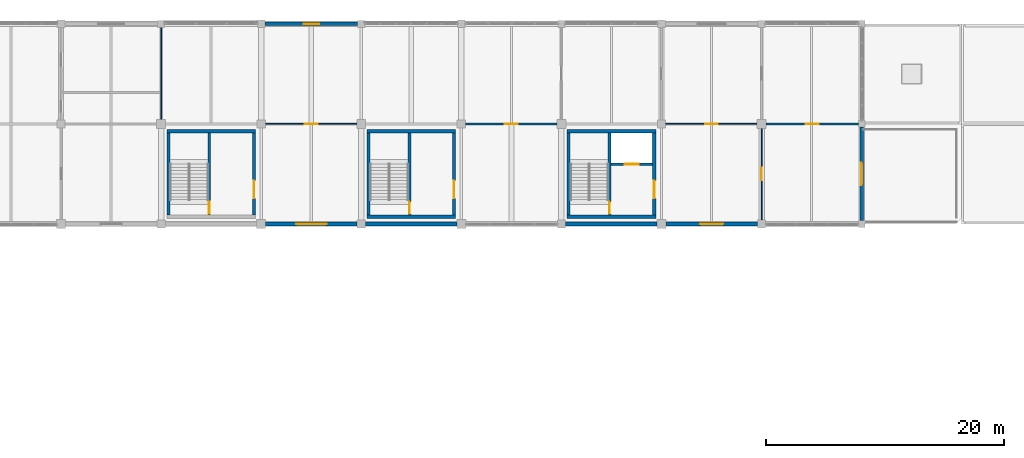
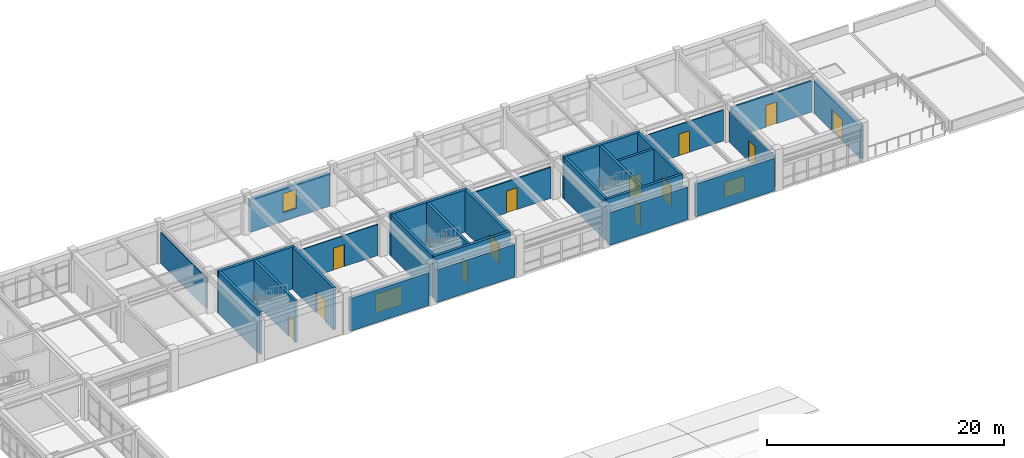
# One storey, part 35 of 40: 27 walls, 13 doors, 3 windows, 16 openings.
"""IFC4 building model written with IfcOpenShell, lengths in metres."""

from ifc_helpers import new_model, si_unit, direction, frame, frame_2d, origin, place, context, subcontext, project, spatial, rectangle, extrude, material, layer, layer_set, type_object, element, fill, save


model = new_model("IFC4")

# Units and contexts
model_context = context("Model", 3, precision=1e-05, world=origin(), true_north=direction((0.0, 1.0)))
body_context = subcontext(model_context, "Body", "Model", "MODEL_VIEW")
ifc_project = project(units=[si_unit("LENGTHUNIT", "METRE"), si_unit("AREAUNIT", "SQUARE_METRE"), si_unit("VOLUMEUNIT", "CUBIC_METRE"), si_unit("PLANEANGLEUNIT", "RADIAN"), si_unit("MASSUNIT", "GRAM", prefix="KILO")], contexts=[model_context])

# Site, building, storey
site_placement = place(None, origin())
site = spatial("IfcSite", under=ifc_project, at=site_placement, CompositionType="ELEMENT")
building_placement = place(site_placement, origin())
building = spatial("IfcBuilding", under=site, at=building_placement, Name="Porcellanite Civic Hall", CompositionType="ELEMENT")
storey_placement = place(building_placement, frame((0.0, 0.0, 19.080078125)))
storey = spatial("IfcBuildingStorey", under=building, at=storey_placement, Name="L04", CompositionType="ELEMENT", Elevation=19.080078125)

# Wall, opening, door
ifc_material_1 = material(Name="Concrete N40 (40 MPa)", Category="concrete")
ifc_layer_1 = layer(ifc_material_1, 0.239990234375)
ifc_layer_set_1 = layer_set([ifc_layer_1], Name="Concrete N40 (40 MPa)")
wall_type_1 = type_object("IfcWallType", Name="CW-SH240", PredefinedType="SHEAR", material=ifc_layer_set_1)
wall_1_placement = place(storey_placement, frame((113.239990234375, 101.5400390625, 0.0), z_axis=(0.0, 0.0, 1.0), x_axis=(0.0, 1.0, 0.0)))
wall_1 = element("IfcWall", 1, at=wall_1_placement, inside=storey, type_object=wall_type_1, Name="Core divider C4 L04", PredefinedType="SHEAR", context=body_context, shape_type="SweptSolid", body=[
    extrude(rectangle(XDim=6.919921875, YDim=0.239990234375, at=frame_2d((3.4599609375, 0.0))), origin(), (0.0, 0.0, 1.0), 4.31982421875),
])
opening_1_placement = place(wall_1_placement, frame((0.1201171875, 0.0, 0.0)))
opening_1 = element("IfcOpeningElement", 2, at=opening_1_placement, cuts=wall_1, Name="Opening FD-C4-L04-ST", PredefinedType="OPENING", context=body_context, shape_type="SweptSolid", body=[
    extrude(rectangle(XDim=1.0, YDim=2.14990234375, at=frame_2d((0.5, 1.074951171875))), frame((0.0, 0.1201171875, 0.0), z_axis=(0.0, -1.0, 0.0), x_axis=(1.0, 0.0, 0.0)), (0.0, 0.0, 1.0), 0.239990234375),
])
ifc_material_2 = material(Name="Fire-rated solid-core hardwood timber", Category="wood")
door_type_1 = type_object("IfcDoorType", Name="DR-FD100", OperationType="NOTDEFINED", PredefinedType="DOOR", material=ifc_material_2)
door_1_placement = place(opening_1_placement, origin())
door_1 = element("IfcDoor", 3, at=door_1_placement, inside=storey, type_object=door_type_1, Name="Fire stair door FD-C4-L04-ST", OperationType="SINGLE_SWING_LEFT", OverallHeight=2.14990234375, OverallWidth=1.0, PredefinedType="DOOR", context=body_context, shape_type="SweptSolid", body=[
    extrude(rectangle(XDim=1.0, YDim=2.14990234375, at=frame_2d((0.5, 1.074951171875))), frame((0.0, 0.02490234375, 0.0), z_axis=(0.0, -1.0, 0.0), x_axis=(1.0, 0.0, 0.0)), (0.0, 0.0, 1.0), 0.050048828125),
])
fill(opening_1, door_1)

wall_2_placement = place(storey_placement, frame((113.360107421875, 105.820068359375, 0.0), z_axis=(0.0, 0.0, 1.0), x_axis=(1.0, 0.0, 0.0)))
wall_2 = element("IfcWall", 4, at=wall_2_placement, inside=storey, type_object=wall_type_1, Name="Lift shaft wall C4 L04", PredefinedType="SHEAR", context=body_context, shape_type="SweptSolid", body=[
    extrude(rectangle(XDim=3.5, YDim=0.239990234375, at=frame_2d((1.75, 0.0))), origin(), (0.0, 0.0, 1.0), 4.31982421875),
])
opening_2_placement = place(wall_2_placement, frame((1.14990234375, 0.0, 0.0)))
opening_2 = element("IfcOpeningElement", 5, at=opening_2_placement, cuts=wall_2, Name="Opening LD-02", PredefinedType="OPENING", context=body_context, shape_type="SweptSolid", body=[
    extrude(rectangle(XDim=1.199951171875, YDim=2.199951171875, at=frame_2d((0.60009765625, 1.10009765625))), frame((0.0, 0.1201171875, 0.0), z_axis=(0.0, -1.0, 0.0), x_axis=(1.0, 0.0, 0.0)), (0.0, 0.0, 1.0), 0.239990234375),
])
ifc_material_3 = material(Name="Brushed stainless steel 316", Category="steel")
door_type_2 = type_object("IfcDoorType", Name="DR-LD120", OperationType="DOUBLE_DOOR_SLIDING", PredefinedType="DOOR", material=ifc_material_3)
door_2_placement = place(opening_2_placement, origin())
door_2 = element("IfcDoor", 6, at=door_2_placement, inside=storey, type_object=door_type_2, Name="Lift landing sliding door LD-02 L04", OperationType="DOUBLE_DOOR_SLIDING", OverallHeight=2.199951171875, OverallWidth=1.199951171875, PredefinedType="DOOR", context=body_context, shape_type="SweptSolid", body=[
    extrude(rectangle(XDim=1.199951171875, YDim=2.199951171875, at=frame_2d((0.60009765625, 1.10009765625))), frame((0.0, 0.02490234375, 0.0), z_axis=(0.0, -1.0, 0.0), x_axis=(1.0, 0.0, 0.0)), (0.0, 0.0, 1.0), 0.050048828125),
])
fill(opening_2, door_2)

wall_3_placement = place(storey_placement, frame((79.639892578125, 101.5400390625, 0.0), z_axis=(0.0, 0.0, 1.0), x_axis=(0.0, 1.0, 0.0)))
wall_3 = element("IfcWall", 7, at=wall_3_placement, inside=storey, type_object=wall_type_1, Name="Core divider S9 L04", PredefinedType="SHEAR", context=body_context, shape_type="SweptSolid", body=[
    extrude(rectangle(XDim=6.919921875, YDim=0.239990234375, at=frame_2d((3.4599609375, 0.0))), origin(), (0.0, 0.0, 1.0), 4.31982421875),
])
opening_3_placement = place(wall_3_placement, frame((0.1201171875, 0.0, 0.0)))
opening_3 = element("IfcOpeningElement", 8, at=opening_3_placement, cuts=wall_3, Name="Opening FD-S9-L04-ST", PredefinedType="OPENING", context=body_context, shape_type="SweptSolid", body=[
    extrude(rectangle(XDim=1.0, YDim=2.14990234375, at=frame_2d((0.5, 1.074951171875))), frame((0.0, 0.1201171875, 0.0), z_axis=(0.0, -1.0, 0.0), x_axis=(1.0, 0.0, 0.0)), (0.0, 0.0, 1.0), 0.239990234375),
])
door_3_placement = place(opening_3_placement, origin())
door_3 = element("IfcDoor", 9, at=door_3_placement, inside=storey, type_object=door_type_1, Name="Fire stair door FD-S9-L04-ST", OperationType="SINGLE_SWING_RIGHT", OverallHeight=2.14990234375, OverallWidth=1.0, PredefinedType="DOOR", context=body_context, shape_type="SweptSolid", body=[
    extrude(rectangle(XDim=1.0, YDim=2.14990234375, at=frame_2d((0.5, 1.074951171875))), frame((0.0, 0.02490234375, 0.0), z_axis=(0.0, -1.0, 0.0), x_axis=(1.0, 0.0, 0.0)), (0.0, 0.0, 1.0), 0.050048828125),
])
fill(opening_3, door_3)

wall_4_placement = place(storey_placement, frame((96.43994140625, 101.5400390625, 0.0), z_axis=(0.0, 0.0, 1.0), x_axis=(0.0, 1.0, 0.0)))
wall_4 = element("IfcWall", 10, at=wall_4_placement, inside=storey, type_object=wall_type_1, Name="Core divider S10 L04", PredefinedType="SHEAR", context=body_context, shape_type="SweptSolid", body=[
    extrude(rectangle(XDim=6.919921875, YDim=0.239990234375, at=frame_2d((3.4599609375, 0.0))), origin(), (0.0, 0.0, 1.0), 4.31982421875),
])
opening_4_placement = place(wall_4_placement, frame((0.1201171875, 0.0, 0.0)))
opening_4 = element("IfcOpeningElement", 11, at=opening_4_placement, cuts=wall_4, Name="Opening FD-S10-L04-ST", PredefinedType="OPENING", context=body_context, shape_type="SweptSolid", body=[
    extrude(rectangle(XDim=1.0, YDim=2.14990234375, at=frame_2d((0.5, 1.074951171875))), frame((0.0, 0.1201171875, 0.0), z_axis=(0.0, -1.0, 0.0), x_axis=(1.0, 0.0, 0.0)), (0.0, 0.0, 1.0), 0.239990234375),
])
door_4_placement = place(opening_4_placement, origin())
door_4 = element("IfcDoor", 12, at=door_4_placement, inside=storey, type_object=door_type_1, Name="Fire stair door FD-S10-L04-ST", OperationType="SINGLE_SWING_LEFT", OverallHeight=2.14990234375, OverallWidth=1.0, PredefinedType="DOOR", context=body_context, shape_type="SweptSolid", body=[
    extrude(rectangle(XDim=1.0, YDim=2.14990234375, at=frame_2d((0.5, 1.074951171875))), frame((0.0, 0.02490234375, 0.0), z_axis=(0.0, -1.0, 0.0), x_axis=(1.0, 0.0, 0.0)), (0.0, 0.0, 1.0), 0.050048828125),
])
fill(opening_4, door_4)

# Walls
ifc_material_4 = material(Name="Concrete N40 (40 MPa)", Category="concrete")
ifc_layer_2 = layer(ifc_material_4, 0.260009765625)
ifc_layer_set_2 = layer_set([ifc_layer_2], Name="Concrete N40 (40 MPa)")
wall_type_2 = type_object("IfcWallType", Name="CW-SH260", PredefinedType="SHEAR", material=ifc_layer_set_2)
wall_5_placement = place(storey_placement, frame((117.1201171875, 101.409912109375, 0.0), z_axis=(0.0, 0.0, 1.0), x_axis=(-1.0, 0.0, 0.0)))
element("IfcWall", 13, at=wall_5_placement, inside=storey, type_object=wall_type_2, Name="Core wall C4 L04 S", PredefinedType="SHEAR", context=body_context, shape_type="SweptSolid", body=[
    extrude(rectangle(XDim=7.440185546875, YDim=0.260009765625, at=frame_2d((3.72021484375, 0.0))), origin(), (0.0, 0.0, 1.0), 4.31982421875),
])
wall_6_placement = place(storey_placement, frame((109.81005859375, 101.5400390625, 0.0), z_axis=(0.0, 0.0, 1.0), x_axis=(0.0, 1.0, 0.0)))
element("IfcWall", 14, at=wall_6_placement, inside=storey, type_object=wall_type_2, Name="Core wall C4 L04 W", PredefinedType="SHEAR", context=body_context, shape_type="SweptSolid", body=[
    extrude(rectangle(XDim=6.919921875, YDim=0.260009765625, at=frame_2d((3.4599609375, 0.0))), origin(), (0.0, 0.0, 1.0), 4.31982421875),
])
wall_7_placement = place(storey_placement, frame((109.679931640625, 108.590087890625, 0.0), z_axis=(0.0, 0.0, 1.0), x_axis=(1.0, 0.0, 0.0)))
element("IfcWall", 15, at=wall_7_placement, inside=storey, type_object=wall_type_2, Name="Core wall C4 L04 N", PredefinedType="SHEAR", context=body_context, shape_type="SweptSolid", body=[
    extrude(rectangle(XDim=7.440185546875, YDim=0.260009765625, at=frame_2d((3.72021484375, 0.0))), origin(), (0.0, 0.0, 1.0), 4.31982421875),
])

# Wall, opening, door
wall_8_placement = place(storey_placement, frame((116.989990234375, 108.4599609375, 0.0), z_axis=(0.0, 0.0, 1.0), x_axis=(0.0, -1.0, 0.0)))
wall_8 = element("IfcWall", 16, at=wall_8_placement, inside=storey, type_object=wall_type_2, Name="Core wall C4 L04 E", PredefinedType="SHEAR", context=body_context, shape_type="SweptSolid", body=[
    extrude(rectangle(XDim=6.919921875, YDim=0.260009765625, at=frame_2d((3.4599609375, 0.0))), origin(), (0.0, 0.0, 1.0), 4.31982421875),
])
opening_5_placement = place(wall_8_placement, frame((4.010009765625, 0.0, 0.0)))
opening_5 = element("IfcOpeningElement", 17, at=opening_5_placement, cuts=wall_8, Name="Opening FD-C4-L04-LB", PredefinedType="OPENING", context=body_context, shape_type="SweptSolid", body=[
    extrude(rectangle(XDim=1.5, YDim=2.14990234375, at=frame_2d((0.75, 1.074951171875))), frame((0.0, 0.1298828125, 0.0), z_axis=(0.0, -1.0, 0.0), x_axis=(1.0, 0.0, 0.0)), (0.0, 0.0, 1.0), 0.260009765625),
])
ifc_material_5 = material(Name="Fire-rated steel and Georgian wired glass", Category="steel")
door_type_3 = type_object("IfcDoorType", Name="DR-FD150", OperationType="DOUBLE_DOOR_SINGLE_SWING", PredefinedType="DOOR", material=ifc_material_5)
door_5_placement = place(opening_5_placement, origin())
door_5 = element("IfcDoor", 18, at=door_5_placement, inside=storey, type_object=door_type_3, Name="Fire lobby double door FD-C4-L04-LB", OperationType="DOUBLE_DOOR_SINGLE_SWING", OverallHeight=2.14990234375, OverallWidth=1.5, PredefinedType="DOOR", context=body_context, shape_type="SweptSolid", body=[
    extrude(rectangle(XDim=1.5, YDim=2.14990234375, at=frame_2d((0.75, 1.074951171875))), frame((0.0, 0.02490234375, 0.0), z_axis=(0.0, -1.0, 0.0), x_axis=(1.0, 0.0, 0.0)), (0.0, 0.0, 1.0), 0.050048828125),
])
fill(opening_5, door_5)

# Walls
wall_9_placement = place(storey_placement, frame((76.2099609375, 101.5400390625, 0.0), z_axis=(0.0, 0.0, 1.0), x_axis=(0.0, 1.0, 0.0)))
element("IfcWall", 19, at=wall_9_placement, inside=storey, type_object=wall_type_2, Name="Core wall S9 L04 W", PredefinedType="SHEAR", context=body_context, shape_type="SweptSolid", body=[
    extrude(rectangle(XDim=6.919921875, YDim=0.260009765625, at=frame_2d((3.4599609375, 0.0))), origin(), (0.0, 0.0, 1.0), 4.31982421875),
])
wall_10_placement = place(storey_placement, frame((76.080078125, 108.590087890625, 0.0), z_axis=(0.0, 0.0, 1.0), x_axis=(1.0, 0.0, 0.0)))
element("IfcWall", 20, at=wall_10_placement, inside=storey, type_object=wall_type_2, Name="Core wall S9 L04 N", PredefinedType="SHEAR", context=body_context, shape_type="SweptSolid", body=[
    extrude(rectangle(XDim=7.43994140625, YDim=0.260009765625, at=frame_2d((3.719970703125, 0.0))), origin(), (0.0, 0.0, 1.0), 4.31982421875),
])

# Wall, opening, door
wall_11_placement = place(storey_placement, frame((83.389892578125, 108.4599609375, 0.0), z_axis=(0.0, 0.0, 1.0), x_axis=(0.0, -1.0, 0.0)))
wall_11 = element("IfcWall", 21, at=wall_11_placement, inside=storey, type_object=wall_type_2, Name="Core wall S9 L04 E", PredefinedType="SHEAR", context=body_context, shape_type="SweptSolid", body=[
    extrude(rectangle(XDim=6.919921875, YDim=0.260009765625, at=frame_2d((3.4599609375, 0.0))), origin(), (0.0, 0.0, 1.0), 4.31982421875),
])
opening_6_placement = place(wall_11_placement, frame((4.010009765625, 0.0, 0.0)))
opening_6 = element("IfcOpeningElement", 22, at=opening_6_placement, cuts=wall_11, Name="Opening FD-S9-L04-LB", PredefinedType="OPENING", context=body_context, shape_type="SweptSolid", body=[
    extrude(rectangle(XDim=1.5, YDim=2.14990234375, at=frame_2d((0.75, 1.074951171875))), frame((0.0, 0.1298828125, 0.0), z_axis=(0.0, -1.0, 0.0), x_axis=(1.0, 0.0, 0.0)), (0.0, 0.0, 1.0), 0.260009765625),
])
door_6_placement = place(opening_6_placement, origin())
door_6 = element("IfcDoor", 23, at=door_6_placement, inside=storey, type_object=door_type_3, Name="Fire lobby double door FD-S9-L04-LB", OperationType="DOUBLE_DOOR_SINGLE_SWING", OverallHeight=2.14990234375, OverallWidth=1.5, PredefinedType="DOOR", context=body_context, shape_type="SweptSolid", body=[
    extrude(rectangle(XDim=1.5, YDim=2.14990234375, at=frame_2d((0.75, 1.074951171875))), frame((0.0, 0.02490234375, 0.0), z_axis=(0.0, -1.0, 0.0), x_axis=(1.0, 0.0, 0.0)), (0.0, 0.0, 1.0), 0.050048828125),
])
fill(opening_6, door_6)

# Walls
wall_12_placement = place(storey_placement, frame((100.320068359375, 101.409912109375, 0.0), z_axis=(0.0, 0.0, 1.0), x_axis=(-1.0, 0.0, 0.0)))
element("IfcWall", 24, at=wall_12_placement, inside=storey, type_object=wall_type_2, Name="Core wall S10 L04 S", PredefinedType="SHEAR", context=body_context, shape_type="SweptSolid", body=[
    extrude(rectangle(XDim=7.440185546875, YDim=0.260009765625, at=frame_2d((3.72021484375, 0.0))), origin(), (0.0, 0.0, 1.0), 4.31982421875),
])
wall_13_placement = place(storey_placement, frame((93.010009765625, 101.5400390625, 0.0), z_axis=(0.0, 0.0, 1.0), x_axis=(0.0, 1.0, 0.0)))
element("IfcWall", 25, at=wall_13_placement, inside=storey, type_object=wall_type_2, Name="Core wall S10 L04 W", PredefinedType="SHEAR", context=body_context, shape_type="SweptSolid", body=[
    extrude(rectangle(XDim=6.919921875, YDim=0.260009765625, at=frame_2d((3.4599609375, 0.0))), origin(), (0.0, 0.0, 1.0), 4.31982421875),
])
wall_14_placement = place(storey_placement, frame((92.8798828125, 108.590087890625, 0.0), z_axis=(0.0, 0.0, 1.0), x_axis=(1.0, 0.0, 0.0)))
element("IfcWall", 26, at=wall_14_placement, inside=storey, type_object=wall_type_2, Name="Core wall S10 L04 N", PredefinedType="SHEAR", context=body_context, shape_type="SweptSolid", body=[
    extrude(rectangle(XDim=7.440185546875, YDim=0.260009765625, at=frame_2d((3.72021484375, 0.0))), origin(), (0.0, 0.0, 1.0), 4.31982421875),
])

# Wall, opening, door
wall_15_placement = place(storey_placement, frame((100.18994140625, 108.4599609375, 0.0), z_axis=(0.0, 0.0, 1.0), x_axis=(0.0, -1.0, 0.0)))
wall_15 = element("IfcWall", 27, at=wall_15_placement, inside=storey, type_object=wall_type_2, Name="Core wall S10 L04 E", PredefinedType="SHEAR", context=body_context, shape_type="SweptSolid", body=[
    extrude(rectangle(XDim=6.919921875, YDim=0.260009765625, at=frame_2d((3.4599609375, 0.0))), origin(), (0.0, 0.0, 1.0), 4.31982421875),
])
opening_7_placement = place(wall_15_placement, frame((4.010009765625, 0.0, 0.0)))
opening_7 = element("IfcOpeningElement", 28, at=opening_7_placement, cuts=wall_15, Name="Opening FD-S10-L04-LB", PredefinedType="OPENING", context=body_context, shape_type="SweptSolid", body=[
    extrude(rectangle(XDim=1.5, YDim=2.14990234375, at=frame_2d((0.75, 1.074951171875))), frame((0.0, 0.1298828125, 0.0), z_axis=(0.0, -1.0, 0.0), x_axis=(1.0, 0.0, 0.0)), (0.0, 0.0, 1.0), 0.260009765625),
])
door_7_placement = place(opening_7_placement, origin())
door_7 = element("IfcDoor", 29, at=door_7_placement, inside=storey, type_object=door_type_3, Name="Fire lobby double door FD-S10-L04-LB", OperationType="DOUBLE_DOOR_SINGLE_SWING", OverallHeight=2.14990234375, OverallWidth=1.5, PredefinedType="DOOR", context=body_context, shape_type="SweptSolid", body=[
    extrude(rectangle(XDim=1.5, YDim=2.14990234375, at=frame_2d((0.75, 1.074951171875))), frame((0.0, 0.02490234375, 0.0), z_axis=(0.0, -1.0, 0.0), x_axis=(1.0, 0.0, 0.0)), (0.0, 0.0, 1.0), 0.050048828125),
])
fill(opening_7, door_7)

# Wall, opening, window
ifc_material_6 = material(Name="Precast concrete N40 (40 MPa)", Category="concrete")
ifc_layer_3 = layer(ifc_material_6, 0.300048828125)
ifc_layer_set_3 = layer_set([ifc_layer_3], Name="Precast concrete N40 (40 MPa)")
wall_type_3 = type_object("IfcWallType", Name="EW-ADM300", PredefinedType="SOLIDWALL", material=ifc_layer_set_3)
wall_16_placement = place(storey_placement, frame((92.049072265625, 100.800048828125, 0.0), z_axis=(0.0, 0.0, 1.0), x_axis=(-1.0, 0.0, 0.0)))
wall_16 = element("IfcWall", 30, at=wall_16_placement, inside=storey, type_object=wall_type_3, Name="Exterior wall L04 S 11-13", PredefinedType="SOLIDWALL", context=body_context, shape_type="SweptSolid", body=[
    extrude(rectangle(XDim=7.673095703125, YDim=0.300048828125, at=frame_2d((3.83642578125, 0.0))), origin(), (0.0, 0.0, 1.0), 3.369873046875),
])
opening_8_placement = place(wall_16_placement, frame((2.56201171875, 0.0, 0.89990234375)))
opening_8 = element("IfcOpeningElement", 31, at=opening_8_placement, cuts=wall_16, Name="Opening W33", PredefinedType="OPENING", context=body_context, shape_type="SweptSolid", body=[
    extrude(rectangle(XDim=2.550048828125, YDim=1.949951171875, at=frame_2d((1.27490234375, 0.97509765625))), frame((0.0, 0.14990234375, 0.0), z_axis=(0.0, -1.0, 0.0), x_axis=(1.0, 0.0, 0.0)), (0.0, 0.0, 1.0), 0.300048828125),
])
ifc_material_7 = material(Name="Cyclone laminated low-E glazing in anodised aluminium frame", Category="aluminium")
window_type_1 = type_object("IfcWindowType", Name="WN-33", PartitioningType="TRIPLE_PANEL_VERTICAL", PredefinedType="WINDOW", material=ifc_material_7)
window_1_placement = place(opening_8_placement, origin())
window_1 = element("IfcWindow", 32, at=window_1_placement, inside=storey, type_object=window_type_1, Name="Window W33 L04 S 11-13", OverallHeight=1.949951171875, OverallWidth=2.550048828125, PartitioningType="SINGLE_PANEL", PredefinedType="WINDOW", context=body_context, shape_type="SweptSolid", body=[
    extrude(rectangle(XDim=2.550048828125, YDim=1.949951171875, at=frame_2d((1.27490234375, 0.97509765625))), frame((0.0, 0.030029296875, 0.0), z_axis=(0.0, -1.0, 0.0), x_axis=(1.0, 0.0, 0.0)), (0.0, 0.0, 1.0), 0.06005859375),
])
fill(opening_8, window_1)

wall_17_placement = place(storey_placement, frame((84.325927734375, 117.60009765625, 0.0), z_axis=(0.0, 0.0, 1.0), x_axis=(1.0, 0.0, 0.0)))
wall_17 = element("IfcWall", 33, at=wall_17_placement, inside=storey, type_object=wall_type_3, Name="Exterior wall L04 N 11-14", PredefinedType="SOLIDWALL", context=body_context, shape_type="SweptSolid", body=[
    extrude(rectangle(XDim=7.773193359375, YDim=0.300048828125, at=frame_2d((3.88671875, 0.0))), origin(), (0.0, 0.0, 1.0), 3.369873046875),
])
opening_9_placement = place(wall_17_placement, frame((3.236083984375, 0.0, 0.89990234375)))
opening_9 = element("IfcOpeningElement", 34, at=opening_9_placement, cuts=wall_17, Name="Opening W34", PredefinedType="OPENING", context=body_context, shape_type="SweptSolid", body=[
    extrude(rectangle(XDim=1.300048828125, YDim=1.949951171875, at=frame_2d((0.64990234375, 0.97509765625))), frame((0.0, 0.14990234375, 0.0), z_axis=(0.0, -1.0, 0.0), x_axis=(1.0, 0.0, 0.0)), (0.0, 0.0, 1.0), 0.300048828125),
])
ifc_material_8 = material(Name="Cyclone laminated low-E glazing in anodised aluminium frame", Category="aluminium")
window_type_2 = type_object("IfcWindowType", Name="WN-34", PartitioningType="SINGLE_PANEL", PredefinedType="WINDOW", material=ifc_material_8)
window_2_placement = place(opening_9_placement, origin())
window_2 = element("IfcWindow", 35, at=window_2_placement, inside=storey, type_object=window_type_2, Name="Window W34 L04 N 11-14", OverallHeight=1.949951171875, OverallWidth=1.300048828125, PartitioningType="SINGLE_PANEL", PredefinedType="WINDOW", context=body_context, shape_type="SweptSolid", body=[
    extrude(rectangle(XDim=1.300048828125, YDim=1.949951171875, at=frame_2d((0.64990234375, 0.97509765625))), frame((0.0, 0.030029296875, 0.0), z_axis=(0.0, -1.0, 0.0), x_axis=(1.0, 0.0, 0.0)), (0.0, 0.0, 1.0), 0.06005859375),
])
fill(opening_9, window_2)

# Walls
for number, where, z_axis, x_axis, name in (
    (36, (100.424072265625, 100.800048828125, 0.0), (0.0, 0.0, 1.0), (-1.0, 0.0, 0.0), "Exterior wall L04 S 12-13"),
    (37, (117.22412109375, 100.800048828125, 0.0), (0.0, 0.0, 1.0), (-1.0, 0.0, 0.0), "Exterior wall L04 S 14-13"),
):
    element("IfcWall", number, at=place(storey_placement, frame(where, z_axis=z_axis, x_axis=x_axis)), inside=storey, type_object=wall_type_3, Name=name, PredefinedType="SOLIDWALL", context=body_context, shape_type="SweptSolid", body=[
        extrude(rectangle(XDim=7.673095703125, YDim=0.300048828125, at=frame_2d((3.83642578125, 0.0))), origin(), (0.0, 0.0, 1.0), 3.369873046875),
    ])

# Wall, opening, window
wall_18_placement = place(storey_placement, frame((125.64892578125, 100.800048828125, 0.0), z_axis=(0.0, 0.0, 1.0), x_axis=(-1.0, 0.0, 0.0)))
wall_18 = element("IfcWall", 38, at=wall_18_placement, inside=storey, type_object=wall_type_3, Name="Exterior wall L04 S 15-13", PredefinedType="SOLIDWALL", context=body_context, shape_type="SweptSolid", body=[
    extrude(rectangle(XDim=7.6728515625, YDim=0.300048828125, at=frame_2d((3.83642578125, 0.0))), origin(), (0.0, 0.0, 1.0), 3.369873046875),
])
opening_10_placement = place(wall_18_placement, frame((2.861083984375, 0.0, 0.89990234375)))
opening_10 = element("IfcOpeningElement", 39, at=opening_10_placement, cuts=wall_18, Name="Opening W35", PredefinedType="OPENING", context=body_context, shape_type="SweptSolid", body=[
    extrude(rectangle(XDim=1.949951171875, YDim=1.60009765625, at=frame_2d((0.97509765625, 0.800048828125))), frame((0.0, 0.14990234375, 0.0), z_axis=(0.0, -1.0, 0.0), x_axis=(1.0, 0.0, 0.0)), (0.0, 0.0, 1.0), 0.300048828125),
])
ifc_material_9 = material(Name="Cyclone laminated low-E glazing in anodised aluminium frame", Category="aluminium")
window_type_3 = type_object("IfcWindowType", Name="WN-35", PartitioningType="DOUBLE_PANEL_VERTICAL", PredefinedType="WINDOW", material=ifc_material_9)
window_3_placement = place(opening_10_placement, origin())
window_3 = element("IfcWindow", 40, at=window_3_placement, inside=storey, type_object=window_type_3, Name="Window W35 L04 S 15-13", OverallHeight=1.60009765625, OverallWidth=1.949951171875, PartitioningType="SINGLE_PANEL", PredefinedType="WINDOW", context=body_context, shape_type="SweptSolid", body=[
    extrude(rectangle(XDim=1.949951171875, YDim=1.60009765625, at=frame_2d((0.97509765625, 0.800048828125))), frame((0.0, 0.030029296875, 0.0), z_axis=(0.0, -1.0, 0.0), x_axis=(1.0, 0.0, 0.0)), (0.0, 0.0, 1.0), 0.06005859375),
])
fill(opening_10, window_3)

# Wall, opening, door
wall_19_placement = place(storey_placement, frame((134.39990234375, 108.924072265625, 0.0), z_axis=(0.0, 0.0, 1.0), x_axis=(0.0, -1.0, 0.0)))
wall_19 = element("IfcWall", 41, at=wall_19_placement, inside=storey, type_object=wall_type_3, Name="Exterior wall L04 E 16-13", PredefinedType="SOLIDWALL", context=body_context, shape_type="SweptSolid", body=[
    extrude(rectangle(XDim=7.84814453125, YDim=0.300048828125, at=frame_2d((3.924072265625, 0.0))), origin(), (0.0, 0.0, 1.0), 3.369873046875),
])
opening_11_placement = place(wall_19_placement, frame((2.9990234375, 0.0, 0.0)))
opening_11 = element("IfcOpeningElement", 42, at=opening_11_placement, cuts=wall_19, Name="Opening TD-15", PredefinedType="OPENING", context=body_context, shape_type="SweptSolid", body=[
    extrude(rectangle(XDim=1.85009765625, YDim=2.199951171875, at=frame_2d((0.925048828125, 1.10009765625))), frame((0.0, 0.14990234375, 0.0), z_axis=(0.0, -1.0, 0.0), x_axis=(1.0, 0.0, 0.0)), (0.0, 0.0, 1.0), 0.300048828125),
])
ifc_material_10 = material(Name="Anodised aluminium and laminated safety glass", Category="aluminium")
door_type_4 = type_object("IfcDoorType", Name="DR-TER185", OperationType="DOUBLE_DOOR_SINGLE_SWING", PredefinedType="DOOR", material=ifc_material_10)
door_8_placement = place(opening_11_placement, origin())
door_8 = element("IfcDoor", 43, at=door_8_placement, inside=storey, type_object=door_type_4, Name="Civic terrace door TD-15", OperationType="DOUBLE_DOOR_SINGLE_SWING", OverallHeight=2.199951171875, OverallWidth=1.85009765625, PredefinedType="DOOR", context=body_context, shape_type="SweptSolid", body=[
    extrude(rectangle(XDim=1.85009765625, YDim=2.199951171875, at=frame_2d((0.925048828125, 1.10009765625))), frame((0.0, 0.02490234375, 0.0), z_axis=(0.0, -1.0, 0.0), x_axis=(1.0, 0.0, 0.0)), (0.0, 0.0, 1.0), 0.050048828125),
])
fill(opening_11, door_8)

ifc_material_11 = material(Name="Insulated acoustic plasterboard on light-gauge steel studs", Category="steel")
ifc_layer_4 = layer(ifc_material_11, 0.087890625)
ifc_layer_set_4 = layer_set([ifc_layer_4], Name="Insulated acoustic plasterboard on light-gauge steel studs")
wall_type_4 = type_object("IfcWallType", Name="IW-PT088", PredefinedType="PARTITIONING", material=ifc_layer_set_4)
wall_20_placement = place(storey_placement, frame((84.35205078125, 109.199951171875, 0.0), z_axis=(0.0, 0.0, 1.0), x_axis=(1.0, 0.0, 0.0)))
wall_20 = element("IfcWall", 44, at=wall_20_placement, inside=storey, type_object=wall_type_4, Name="Partition L04 H 11-13", PredefinedType="PARTITIONING", context=body_context, shape_type="SweptSolid", body=[
    extrude(rectangle(XDim=7.6708984375, YDim=0.087890625, at=frame_2d((3.83544921875, 0.0))), origin(), (0.0, 0.0, 1.0), 3.18994140625),
])
opening_12_placement = place(wall_20_placement, frame((3.2958984375, 0.0, 0.0)))
opening_12 = element("IfcOpeningElement", 45, at=opening_12_placement, cuts=wall_20, Name="Opening D-L04-468", PredefinedType="OPENING", context=body_context, shape_type="SweptSolid", body=[
    extrude(rectangle(XDim=1.080078125, YDim=2.25, at=frame_2d((0.5400390625, 1.125))), frame((0.0, 0.0439453125, 0.0), z_axis=(0.0, -1.0, 0.0), x_axis=(1.0, 0.0, 0.0)), (0.0, 0.0, 1.0), 0.087890625),
])
ifc_material_12 = material(Name="Solid-core spotted-gum timber", Category="wood")
door_type_5 = type_object("IfcDoorType", Name="DR-RM108", OperationType="NOTDEFINED", PredefinedType="DOOR", material=ifc_material_12)
door_9_placement = place(opening_12_placement, origin())
door_9 = element("IfcDoor", 46, at=door_9_placement, inside=storey, type_object=door_type_5, Name="Interior door D-L04-468", OperationType="SINGLE_SWING_RIGHT", OverallHeight=2.25, OverallWidth=1.080078125, PredefinedType="DOOR", context=body_context, shape_type="SweptSolid", body=[
    extrude(rectangle(XDim=1.080078125, YDim=2.25, at=frame_2d((0.5400390625, 1.125))), frame((0.0, 0.02490234375, 0.0), z_axis=(0.0, -1.0, 0.0), x_axis=(1.0, 0.0, 0.0)), (0.0, 0.0, 1.0), 0.050048828125),
])
fill(opening_12, door_9)

wall_21_placement = place(storey_placement, frame((117.951904296875, 109.199951171875, 0.0), z_axis=(0.0, 0.0, 1.0), x_axis=(1.0, 0.0, 0.0)))
wall_21 = element("IfcWall", 47, at=wall_21_placement, inside=storey, type_object=wall_type_4, Name="Partition L04 H 15-13", PredefinedType="PARTITIONING", context=body_context, shape_type="SweptSolid", body=[
    extrude(rectangle(XDim=7.671142578125, YDim=0.087890625, at=frame_2d((3.83544921875, 0.0))), origin(), (0.0, 0.0, 1.0), 3.18994140625),
])
opening_13_placement = place(wall_21_placement, frame((3.31591796875, 0.0, 0.0)))
opening_13 = element("IfcOpeningElement", 48, at=opening_13_placement, cuts=wall_21, Name="Opening D-L04-470", PredefinedType="OPENING", context=body_context, shape_type="SweptSolid", body=[
    extrude(rectangle(XDim=1.0400390625, YDim=2.199951171875, at=frame_2d((0.52001953125, 1.10009765625))), frame((0.0, 0.0439453125, 0.0), z_axis=(0.0, -1.0, 0.0), x_axis=(1.0, 0.0, 0.0)), (0.0, 0.0, 1.0), 0.087890625),
])
ifc_material_13 = material(Name="Solid-core spotted-gum timber", Category="wood")
door_type_6 = type_object("IfcDoorType", Name="DR-RM104", OperationType="NOTDEFINED", PredefinedType="DOOR", material=ifc_material_13)
door_10_placement = place(opening_13_placement, origin())
door_10 = element("IfcDoor", 49, at=door_10_placement, inside=storey, type_object=door_type_6, Name="Interior door D-L04-470", OperationType="SINGLE_SWING_RIGHT", OverallHeight=2.199951171875, OverallWidth=1.0400390625, PredefinedType="DOOR", context=body_context, shape_type="SweptSolid", body=[
    extrude(rectangle(XDim=1.0400390625, YDim=2.199951171875, at=frame_2d((0.52001953125, 1.10009765625))), frame((0.0, 0.02490234375, 0.0), z_axis=(0.0, -1.0, 0.0), x_axis=(1.0, 0.0, 0.0)), (0.0, 0.0, 1.0), 0.050048828125),
])
fill(opening_13, door_10)

wall_22_placement = place(storey_placement, frame((126.0, 101.152099609375, 0.0), z_axis=(0.0, 0.0, 1.0), x_axis=(0.0, 1.0, 0.0)))
wall_22 = element("IfcWall", 50, at=wall_22_placement, inside=storey, type_object=wall_type_4, Name="Partition L04 V 15-13", PredefinedType="PARTITIONING", context=body_context, shape_type="SweptSolid", body=[
    extrude(rectangle(XDim=7.6708984375, YDim=0.087890625, at=frame_2d((3.83544921875, 0.0))), origin(), (0.0, 0.0, 1.0), 3.18994140625),
])
opening_14_placement = place(wall_22_placement, frame((3.31103515625, 0.0, 0.0)))
opening_14 = element("IfcOpeningElement", 51, at=opening_14_placement, cuts=wall_22, Name="Opening D-L04-477", PredefinedType="OPENING", context=body_context, shape_type="SweptSolid", body=[
    extrude(rectangle(XDim=1.050048828125, YDim=2.1201171875, at=frame_2d((0.52490234375, 1.06005859375))), frame((0.0, 0.0439453125, 0.0), z_axis=(0.0, -1.0, 0.0), x_axis=(1.0, 0.0, 0.0)), (0.0, 0.0, 1.0), 0.087890625),
])
ifc_material_14 = material(Name="Solid-core spotted-gum timber", Category="wood")
door_type_7 = type_object("IfcDoorType", Name="DR-RM105", OperationType="NOTDEFINED", PredefinedType="DOOR", material=ifc_material_14)
door_11_placement = place(opening_14_placement, origin())
door_11 = element("IfcDoor", 52, at=door_11_placement, inside=storey, type_object=door_type_7, Name="Interior door D-L04-477", OperationType="SINGLE_SWING_LEFT", OverallHeight=2.1201171875, OverallWidth=1.050048828125, PredefinedType="DOOR", context=body_context, shape_type="SweptSolid", body=[
    extrude(rectangle(XDim=1.050048828125, YDim=2.1201171875, at=frame_2d((0.52490234375, 1.06005859375))), frame((0.0, 0.02490234375, 0.0), z_axis=(0.0, -1.0, 0.0), x_axis=(1.0, 0.0, 0.0)), (0.0, 0.0, 1.0), 0.050048828125),
])
fill(opening_14, door_11)

# Wall
ifc_material_15 = material(Name="Insulated acoustic plasterboard on light-gauge steel studs", Category="steel")
ifc_layer_5 = layer(ifc_material_15, 0.094970703125)
ifc_layer_set_5 = layer_set([ifc_layer_5], Name="Insulated acoustic plasterboard on light-gauge steel studs")
wall_type_5 = type_object("IfcWallType", Name="IW-PT095", PredefinedType="PARTITIONING", material=ifc_layer_set_5)
wall_23_placement = place(storey_placement, frame((75.60009765625, 109.576904296875, 0.0), z_axis=(0.0, 0.0, 1.0), x_axis=(0.0, 1.0, 0.0)))
element("IfcWall", 53, at=wall_23_placement, inside=storey, type_object=wall_type_5, Name="Partition L04 V 9-14", PredefinedType="PARTITIONING", context=body_context, shape_type="SweptSolid", body=[
    extrude(rectangle(XDim=7.72119140625, YDim=0.094970703125, at=frame_2d((3.860595703125, 0.0))), origin(), (0.0, 0.0, 1.0), 3.18994140625),
])

# Wall, opening, door
ifc_material_16 = material(Name="Insulated acoustic plasterboard on light-gauge steel studs", Category="steel")
ifc_layer_6 = layer(ifc_material_16, 0.14501953125)
ifc_layer_set_6 = layer_set([ifc_layer_6], Name="Insulated acoustic plasterboard on light-gauge steel studs")
wall_type_6 = type_object("IfcWallType", Name="IW-PT145", PredefinedType="PARTITIONING", material=ifc_layer_set_6)
wall_24_placement = place(storey_placement, frame((101.152099609375, 109.199951171875, 0.0), z_axis=(0.0, 0.0, 1.0), x_axis=(1.0, 0.0, 0.0)))
wall_24 = element("IfcWall", 54, at=wall_24_placement, inside=storey, type_object=wall_type_6, Name="Partition L04 H 13-13", PredefinedType="PARTITIONING", context=body_context, shape_type="SweptSolid", body=[
    extrude(rectangle(XDim=7.6708984375, YDim=0.14501953125, at=frame_2d((3.83544921875, 0.0))), origin(), (0.0, 0.0, 1.0), 3.18994140625),
])
opening_15_placement = place(wall_24_placement, frame((3.305908203125, 0.0, 0.0)))
opening_15 = element("IfcOpeningElement", 55, at=opening_15_placement, cuts=wall_24, Name="Opening D-L04-469", PredefinedType="OPENING", context=body_context, shape_type="SweptSolid", body=[
    extrude(rectangle(XDim=1.06005859375, YDim=2.25, at=frame_2d((0.530029296875, 1.125))), frame((0.0, 0.072509765625, 0.0), z_axis=(0.0, -1.0, 0.0), x_axis=(1.0, 0.0, 0.0)), (0.0, 0.0, 1.0), 0.14501953125),
])
ifc_material_17 = material(Name="Solid-core spotted-gum timber", Category="wood")
door_type_8 = type_object("IfcDoorType", Name="DR-RM106", OperationType="NOTDEFINED", PredefinedType="DOOR", material=ifc_material_17)
door_12_placement = place(opening_15_placement, origin())
door_12 = element("IfcDoor", 56, at=door_12_placement, inside=storey, type_object=door_type_8, Name="Interior door D-L04-469", OperationType="SINGLE_SWING_LEFT", OverallHeight=2.25, OverallWidth=1.06005859375, PredefinedType="DOOR", context=body_context, shape_type="SweptSolid", body=[
    extrude(rectangle(XDim=1.06005859375, YDim=2.25, at=frame_2d((0.530029296875, 1.125))), frame((0.0, 0.02490234375, 0.0), z_axis=(0.0, -1.0, 0.0), x_axis=(1.0, 0.0, 0.0)), (0.0, 0.0, 1.0), 0.050048828125),
])
fill(opening_15, door_12)

ifc_material_18 = material(Name="Insulated acoustic plasterboard on light-gauge steel studs", Category="steel")
ifc_layer_7 = layer(ifc_material_18, 0.175048828125)
ifc_layer_set_7 = layer_set([ifc_layer_7], Name="Insulated acoustic plasterboard on light-gauge steel studs")
wall_type_7 = type_object("IfcWallType", Name="IW-PT175", PredefinedType="PARTITIONING", material=ifc_layer_set_7)
wall_25_placement = place(storey_placement, frame((126.376953125, 109.199951171875, 0.0), z_axis=(0.0, 0.0, 1.0), x_axis=(1.0, 0.0, 0.0)))
wall_25 = element("IfcWall", 57, at=wall_25_placement, inside=storey, type_object=wall_type_7, Name="Partition L04 H 16-13", PredefinedType="PARTITIONING", context=body_context, shape_type="SweptSolid", body=[
    extrude(rectangle(XDim=7.74609375, YDim=0.175048828125, at=frame_2d((3.873046875, 0.0))), origin(), (0.0, 0.0, 1.0), 3.18994140625),
])
opening_16_placement = place(wall_25_placement, frame((3.343017578125, 0.0, 0.0)))
opening_16 = element("IfcOpeningElement", 58, at=opening_16_placement, cuts=wall_25, Name="Opening D-L04-482", PredefinedType="OPENING", context=body_context, shape_type="SweptSolid", body=[
    extrude(rectangle(XDim=1.06005859375, YDim=2.25, at=frame_2d((0.530029296875, 1.125))), frame((0.0, 0.08740234375, 0.0), z_axis=(0.0, -1.0, 0.0), x_axis=(1.0, 0.0, 0.0)), (0.0, 0.0, 1.0), 0.175048828125),
])
door_13_placement = place(opening_16_placement, origin())
door_13 = element("IfcDoor", 59, at=door_13_placement, inside=storey, type_object=door_type_8, Name="Interior door D-L04-482", OperationType="SINGLE_SWING_RIGHT", OverallHeight=2.25, OverallWidth=1.06005859375, PredefinedType="DOOR", context=body_context, shape_type="SweptSolid", body=[
    extrude(rectangle(XDim=1.06005859375, YDim=2.25, at=frame_2d((0.530029296875, 1.125))), frame((0.0, 0.02490234375, 0.0), z_axis=(0.0, -1.0, 0.0), x_axis=(1.0, 0.0, 0.0)), (0.0, 0.0, 1.0), 0.050048828125),
])
fill(opening_16, door_13)

save(model, "model.ifc")
